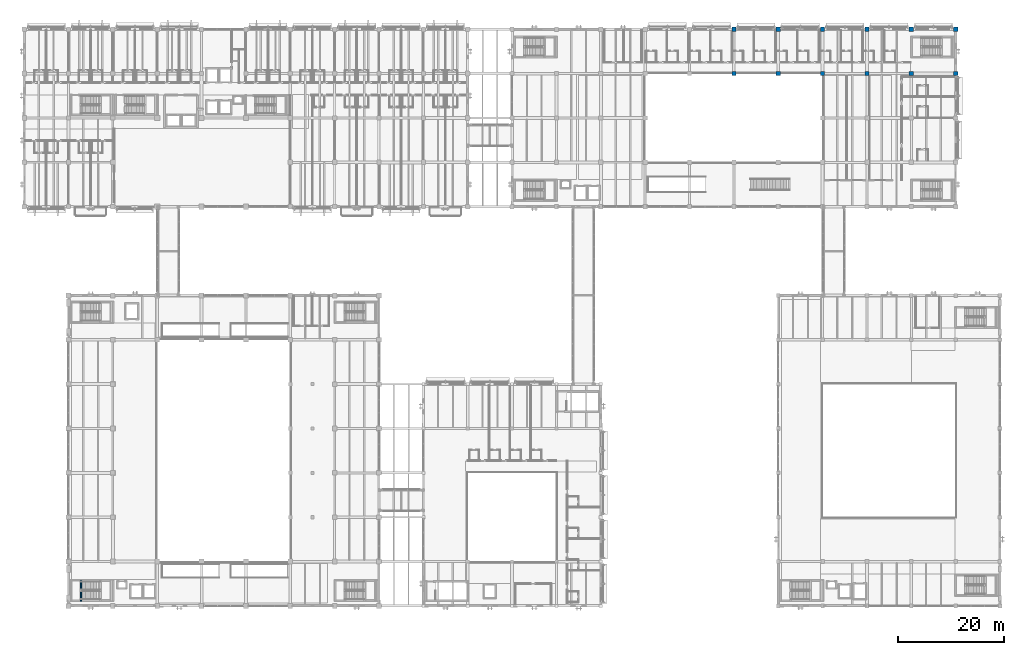
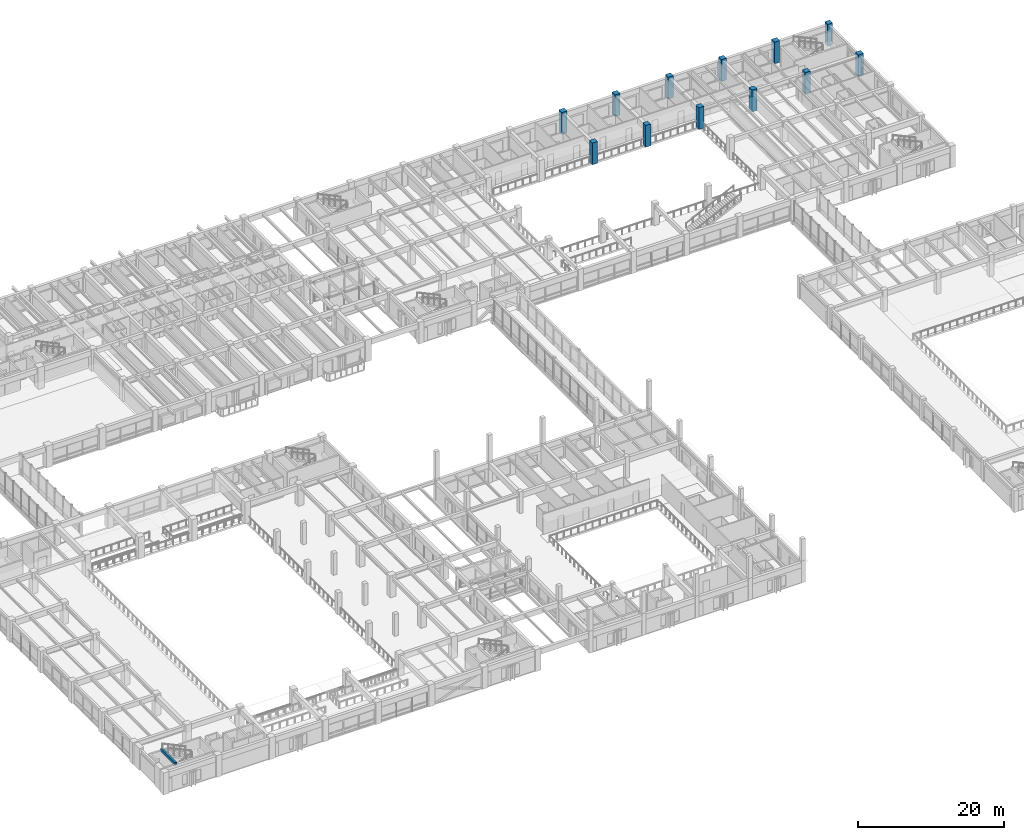
# One storey, part 12 of 118: 12 columns, 1 beam.
"""IFC4 building model written with IfcOpenShell, lengths in metres."""

from ifc_helpers import new_model, si_unit, direction, frame, origin, origin_2d, place, context, subcontext, project, spatial, rectangle, extrude, material, material_profile, profile_set, type_object, element, save


model = new_model("IFC4")

# Units and contexts
model_context = context("Model", 3, precision=1e-05, world=origin(), true_north=direction((0.0, 1.0)))
body_context = subcontext(model_context, "Body", "Model", "MODEL_VIEW")
ifc_project = project(units=[si_unit("LENGTHUNIT", "METRE"), si_unit("AREAUNIT", "SQUARE_METRE"), si_unit("VOLUMEUNIT", "CUBIC_METRE"), si_unit("PLANEANGLEUNIT", "RADIAN"), si_unit("MASSUNIT", "GRAM", prefix="KILO")], contexts=[model_context])

# Site, building, storey
site_placement = place(None, origin())
site = spatial("IfcSite", under=ifc_project, at=site_placement, CompositionType="ELEMENT")
building_placement = place(site_placement, origin())
building = spatial("IfcBuilding", under=site, at=building_placement, Name="Cumbredor Promenade Congress Hotel", CompositionType="ELEMENT")
storey_placement = place(building_placement, frame((0.0, 0.0, 3.919921875)))
storey = spatial("IfcBuildingStorey", under=building, at=storey_placement, Name="L01", CompositionType="ELEMENT", Elevation=3.919921875)

# Columns
ifc_material_1 = material(Name="Concrete C50/60", Category="concrete")
ifc_material_profile_1 = material_profile(ifc_material_1, rectangle(XDim=0.800048828125, YDim=0.800048828125, at=origin_2d()), Name="RC 800x800")
ifc_profile_set_1 = profile_set([ifc_material_profile_1], Name="Concrete C50/60")
column_type = type_object("IfcColumnType", Name="COL-RC-800", PredefinedType="COLUMN", material=ifc_profile_set_1)
for number, where, z_axis, x_axis, name in (
    (1, (134.39990234375, 109.199951171875, 0.0), (0.0, 0.0, 1.0), (1.0, 0.0, 0.0), "L01 Structural Column 151"),
    (2, (134.39990234375, 117.60009765625, 0.0), (0.0, 0.0, 1.0), (1.0, 0.0, 0.0), "L01 Structural Column 152"),
    (3, (142.800048828125, 109.199951171875, 0.0), (0.0, 0.0, 1.0), (1.0, 0.0, 0.0), "L01 Structural Column 163"),
    (4, (142.800048828125, 117.60009765625, 0.0), (0.0, 0.0, 1.0), (1.0, 0.0, 0.0), "L01 Structural Column 164"),
    (5, (151.199951171875, 109.199951171875, 0.0), (0.0, 0.0, 1.0), (1.0, 0.0, 0.0), "L01 Structural Column 172"),
    (6, (151.199951171875, 117.60009765625, 0.0), (0.0, 0.0, 1.0), (1.0, 0.0, 0.0), "L01 Structural Column 173"),
    (7, (159.60009765625, 109.199951171875, 0.0), (0.0, 0.0, 1.0), (1.0, 0.0, 0.0), "L01 Structural Column 181"),
    (8, (159.60009765625, 117.60009765625, 0.0), (0.0, 0.0, 1.0), (1.0, 0.0, 0.0), "L01 Structural Column 182"),
    (9, (168.0, 109.199951171875, 0.0), (0.0, 0.0, 1.0), (1.0, 0.0, 0.0), "L01 Structural Column 190"),
    (10, (168.0, 117.60009765625, 0.0), (0.0, 0.0, 1.0), (1.0, 0.0, 0.0), "L01 Structural Column 191"),
    (11, (176.39990234375, 109.199951171875, 0.0), (0.0, 0.0, 1.0), (1.0, 0.0, 0.0), "L01 Structural Column 199"),
    (12, (176.39990234375, 117.60009765625, 0.0), (0.0, 0.0, 1.0), (1.0, 0.0, 0.0), "L01 Structural Column 200"),
):
    element("IfcColumn", number, at=place(storey_placement, frame(where, z_axis=z_axis, x_axis=x_axis)), inside=storey, type_object=column_type, Name=name, PredefinedType="COLUMN", context=body_context, shape_type="SweptSolid", body=[
        extrude(rectangle(XDim=0.800048828125, YDim=0.800048828125, at=origin_2d()), origin(), (0.0, 0.0, 1.0), 3.64013671875),
    ])

# Beam
ifc_material_2 = material(Name="Concrete C40/50", Category="concrete")
ifc_material_profile_2 = material_profile(ifc_material_2, rectangle(XDim=0.300048828125, YDim=0.5, at=origin_2d()), Name="RC LINTEL 300x500")
ifc_profile_set_2 = profile_set([ifc_material_profile_2], Name="Concrete C40/50")
beam_type = type_object("IfcBeamType", Name="LN-RC-300x500", PredefinedType="LINTEL", material=ifc_profile_set_2)
beam_placement = place(storey_placement, frame((10.75, 9.330078125, 3.39013671875), z_axis=(0.0, 1.0, 0.0), x_axis=(-1.0, 0.0, 0.0)))
element("IfcBeam", 13, at=beam_placement, inside=storey, type_object=beam_type, Name="L02 Stair ST-04 Well Header Trimmer Beam", PredefinedType="LINTEL", context=body_context, shape_type="SweptSolid", body=[
    extrude(rectangle(XDim=0.300048828125, YDim=0.5, at=origin_2d()), origin(), (0.0, 0.0, 1.0), 3.969970703125),
])

save(model, "model.ifc")
